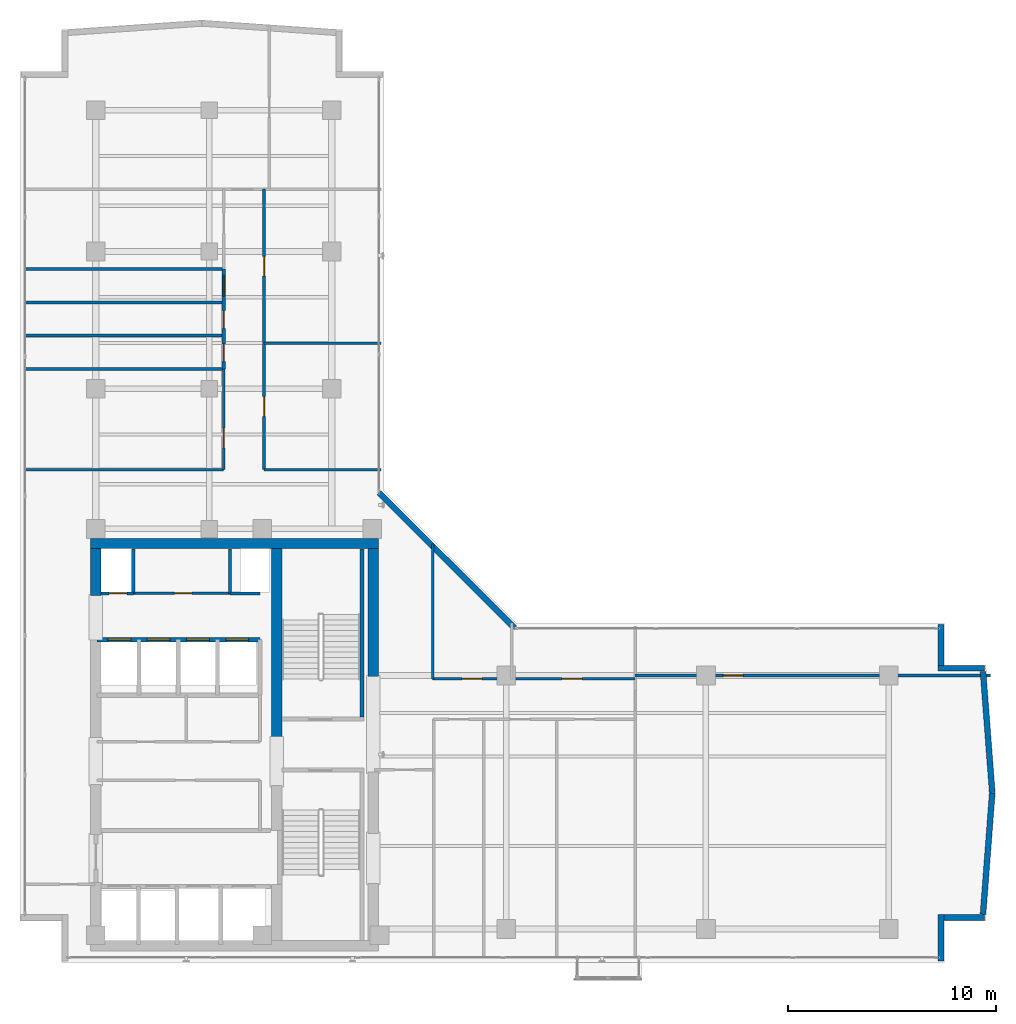
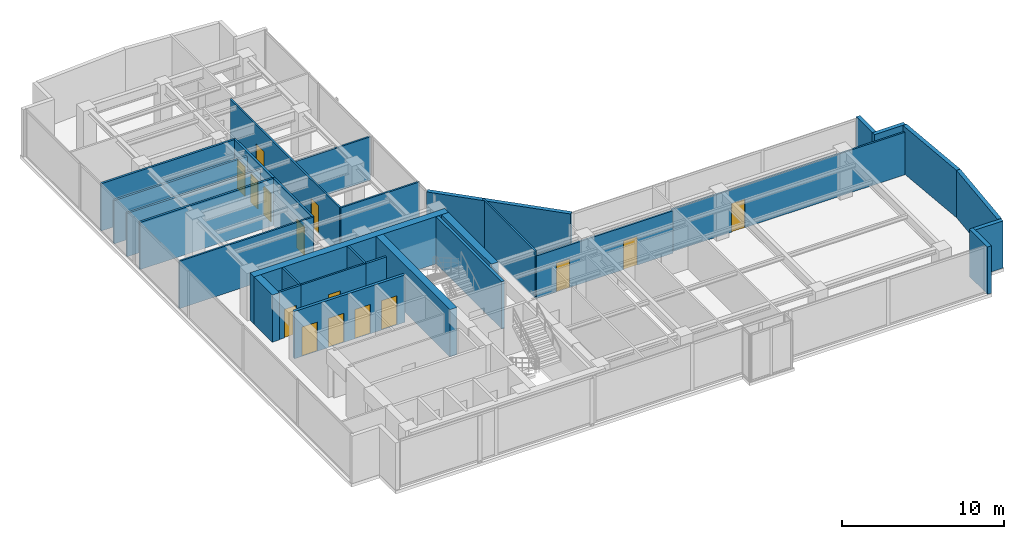
# One storey, part 18 of 23: 31 walls, 15 doors, 15 openings.
"""IFC4 building model written with IfcOpenShell, lengths in metres."""

from ifc_helpers import new_model, si_unit, direction, frame, frame_2d, origin, place, context, subcontext, project, spatial, rectangle, extrude, material, layer, layer_set, type_object, element, fill, save


model = new_model("IFC4")

# Units and contexts
model_context = context("Model", 3, precision=1e-05, world=origin(), true_north=direction((0.0, 1.0)))
body_context = subcontext(model_context, "Body", "Model", "MODEL_VIEW")
ifc_project = project(units=[si_unit("LENGTHUNIT", "METRE"), si_unit("AREAUNIT", "SQUARE_METRE"), si_unit("VOLUMEUNIT", "CUBIC_METRE"), si_unit("PLANEANGLEUNIT", "RADIAN"), si_unit("MASSUNIT", "GRAM", prefix="KILO")], contexts=[model_context])

# Site, building, storey
site_placement = place(None, origin())
site = spatial("IfcSite", under=ifc_project, at=site_placement, CompositionType="ELEMENT")
building_placement = place(site_placement, origin())
building = spatial("IfcBuilding", under=site, at=building_placement, Name="Kolvaren Waterfront Exchange", CompositionType="ELEMENT")
storey_placement = place(building_placement, frame((0.0, 0.0, 297.0)))
storey = spatial("IfcBuildingStorey", under=building, at=storey_placement, Name="L76", CompositionType="ELEMENT", Elevation=297.0)

# Walls
ifc_material_1 = material(Name="Precast concrete C40/50", Category="concrete")
ifc_layer_1 = layer(ifc_material_1, 0.280029296875, Name="Precast concrete C40/50")
ifc_layer_set_1 = layer_set([ifc_layer_1], Name="Precast concrete C40/50")
wall_type_1 = type_object("IfcWallType", Name="ARC-EXT-TERR-280", PredefinedType="SOLIDWALL", material=ifc_layer_set_1)
wall_1_placement = place(storey_placement, frame((48.1083984375, 3.659912109375, 0.0), z_axis=(0.0, 0.0, 1.0), x_axis=(0.0, 1.0, 0.0)))
element("IfcWall", 1, at=wall_1_placement, inside=storey, type_object=wall_type_1, Name="L76 notched corner spandrel pier SE-A", PredefinedType="SOLIDWALL", context=body_context, shape_type="SweptSolid", body=[
    extrude(rectangle(XDim=2.239990234375, YDim=0.280029296875, at=frame_2d((1.1201171875, 0.0))), origin(), (0.0, 0.0, 1.0), 3.56005859375),
])
wall_2_placement = place(storey_placement, frame((48.248291015625, 5.760009765625, 0.0), z_axis=(0.0, 0.0, 1.0), x_axis=(1.0, 0.0, 0.0)))
element("IfcWall", 2, at=wall_2_placement, inside=storey, type_object=wall_type_1, Name="L76 notched corner spandrel pier SE-B", PredefinedType="SOLIDWALL", context=body_context, shape_type="SweptSolid", body=[
    extrude(rectangle(XDim=1.960205078125, YDim=0.280029296875, at=frame_2d((0.97998046875, 0.0))), origin(), (0.0, 0.0, 1.0), 3.56005859375),
])
wall_3_placement = place(storey_placement, frame((48.1083984375, 17.870361328125, 0.0), z_axis=(0.0, 0.0, 1.0), x_axis=(0.0, 1.0, 0.0)))
element("IfcWall", 3, at=wall_3_placement, inside=storey, type_object=wall_type_1, Name="L76 notched corner spandrel pier ENE-A", PredefinedType="SOLIDWALL", context=body_context, shape_type="SweptSolid", body=[
    extrude(rectangle(XDim=1.974853515625, YDim=0.280029296875, at=frame_2d((0.9873046875, 0.0))), origin(), (0.0, 0.0, 1.0), 3.56005859375),
])
wall_4_placement = place(storey_placement, frame((47.968505859375, 17.745361328125, 0.0), z_axis=(0.0, 0.0, 1.0), x_axis=(1.0, 0.0, 0.0)))
element("IfcWall", 4, at=wall_4_placement, inside=storey, type_object=wall_type_1, Name="L76 notched corner spandrel pier ENE-B", PredefinedType="SOLIDWALL", context=body_context, shape_type="SweptSolid", body=[
    extrude(rectangle(XDim=2.239990234375, YDim=0.280029296875, at=frame_2d((1.1201171875, 0.0))), origin(), (0.0, 0.0, 1.0), 3.56005859375),
])
wall_5_placement = place(storey_placement, frame((27.59033203125, 19.680419921875, 0.0), z_axis=(0.0, 0.0, 1.0), x_axis=(-0.707120040392, 0.707093521733, 0.0)))
element("IfcWall", 5, at=wall_5_placement, inside=storey, type_object=wall_type_1, Name="L76 notched corner spandrel pier ELBOW", PredefinedType="SOLIDWALL", context=body_context, shape_type="SweptSolid", body=[
    extrude(rectangle(XDim=9.206298828125, YDim=0.280029296875, at=frame_2d((4.60302734375, 0.0))), origin(), (0.0, 0.0, 1.0), 3.56005859375),
])
for number, where, z_axis, x_axis, name in (
    (6, (50.131591796875, 5.911376953125, 0.0), (0.0, 0.0, 1.0), (0.075908254483, 0.997114806279, 0.0), "L76 east prow faceted facade wall 1"),
    (7, (50.57568359375, 11.760498046875, 0.0), (0.0, 0.0, 1.0), (-0.075908254483, 0.997114806279, 0.0), "L76 east prow faceted facade wall 2"),
):
    element("IfcWall", number, at=place(storey_placement, frame(where, z_axis=z_axis, x_axis=x_axis)), inside=storey, type_object=wall_type_1, Name=name, PredefinedType="SOLIDWALL", context=body_context, shape_type="SweptSolid", body=[
        extrude(rectangle(XDim=5.850341796875, YDim=0.280029296875, at=frame_2d((2.92529296875, 0.0))), origin(), (0.0, 0.0, 1.0), 3.56005859375),
    ])

# Wall, opening, door
ifc_material_2 = material(Name="Acoustic gypsum steel stud", Category="steel")
ifc_layer_2 = layer(ifc_material_2, 0.125, Name="Acoustic gypsum steel stud")
ifc_layer_set_2 = layer_set([ifc_layer_2], Name="Acoustic gypsum steel stud")
wall_type_2 = type_object("IfcWallType", Name="ARC-PART-125", PredefinedType="PARTITIONING", material=ifc_layer_set_2)
wall_6_placement = place(storey_placement, frame((9.25, 21.35009765625, 0.0), z_axis=(0.0, 0.0, 1.0), x_axis=(1.0, 0.0, 0.0)))
wall_6 = element("IfcWall", 8, at=wall_6_placement, inside=storey, type_object=wall_type_2, Name="L76 interior wall PW-L76-SVC-HI-S", PredefinedType="PARTITIONING", context=body_context, shape_type="SweptSolid", body=[
    extrude(rectangle(XDim=4.64990234375, YDim=0.125, at=frame_2d((2.324951171875, 0.0))), origin(), (0.0, 0.0, 1.0), 3.56005859375),
])
opening_1_placement = place(wall_6_placement, frame((1.971435546875, 0.0, 0.0)))
opening_1 = element("IfcOpeningElement", 9, at=opening_1_placement, cuts=wall_6, Name="Opening D01", PredefinedType="OPENING", context=body_context, shape_type="SweptSolid", body=[
    extrude(rectangle(XDim=0.85009765625, YDim=2.14990234375, at=frame_2d((0.425048828125, 1.074951171875))), frame((0.0, 0.072509765625, 0.0), z_axis=(0.0, -1.0, 0.0), x_axis=(1.0, 0.0, 0.0)), (0.0, 0.0, 1.0), 0.14501953125),
])
ifc_material_3 = material(Name="Oak veneer timber leaf", Category="wood")
door_type_1 = type_object("IfcDoorType", Name="ARC-DR-900", OperationType="NOTDEFINED", PredefinedType="DOOR", material=ifc_material_3)
door_1_placement = place(opening_1_placement, origin())
door_1 = element("IfcDoor", 10, at=door_1_placement, inside=storey, type_object=door_type_1, Name="L76 door DR-L76-SVC-DR-1 (D01)", OperationType="SINGLE_SWING_LEFT", OverallHeight=2.14990234375, OverallWidth=0.85009765625, PredefinedType="DOOR", context=body_context, shape_type="SweptSolid", body=[
    extrude(rectangle(XDim=0.85009765625, YDim=2.14990234375, at=frame_2d((0.425048828125, 1.074951171875))), frame((0.0, 0.02490234375, 0.0), z_axis=(0.0, -1.0, 0.0), x_axis=(1.0, 0.0, 0.0)), (0.0, 0.0, 1.0), 0.050048828125),
])
fill(opening_1, door_1)

wall_7_placement = place(storey_placement, frame((13.60009765625, 27.300048828125, 0.0), z_axis=(0.0, 0.0, 1.0), x_axis=(0.0, 1.0, 0.0)))
wall_7 = element("IfcWall", 11, at=wall_7_placement, inside=storey, type_object=wall_type_2, Name="L76 interior wall PW-L76-PREWC-E", PredefinedType="PARTITIONING", context=body_context, shape_type="SweptSolid", body=[
    extrude(rectangle(XDim=4.849853515625, YDim=0.125, at=frame_2d((2.4248046875, 0.0))), origin(), (0.0, 0.0, 1.0), 3.56005859375),
])
opening_2_placement = place(wall_7_placement, frame((1.050048828125, 0.0, 0.0)))
opening_2 = element("IfcOpeningElement", 12, at=opening_2_placement, cuts=wall_7, Name="Opening D02", PredefinedType="OPENING", context=body_context, shape_type="SweptSolid", body=[
    extrude(rectangle(XDim=0.949951171875, YDim=2.14990234375, at=frame_2d((0.47509765625, 1.074951171875))), frame((0.0, 0.072509765625, 0.0), z_axis=(0.0, -1.0, 0.0), x_axis=(1.0, 0.0, 0.0)), (0.0, 0.0, 1.0), 0.14501953125),
])
ifc_material_4 = material(Name="Oak veneer acoustic timber", Category="wood")
door_type_2 = type_object("IfcDoorType", Name="ARC-DR-950", OperationType="NOTDEFINED", PredefinedType="DOOR", material=ifc_material_4)
door_2_placement = place(opening_2_placement, origin())
door_2 = element("IfcDoor", 13, at=door_2_placement, inside=storey, type_object=door_type_2, Name="L76 door DR-L76-PREWC-D (D02)", OperationType="SINGLE_SWING_RIGHT", OverallHeight=2.14990234375, OverallWidth=0.949951171875, PredefinedType="DOOR", context=body_context, shape_type="SweptSolid", body=[
    extrude(rectangle(XDim=0.949951171875, YDim=2.14990234375, at=frame_2d((0.47509765625, 1.074951171875))), frame((0.0, 0.02490234375, 0.0), z_axis=(0.0, -1.0, 0.0), x_axis=(1.0, 0.0, 0.0)), (0.0, 0.0, 1.0), 0.050048828125),
])
fill(opening_2, door_2)

# Wall
wall_8_placement = place(storey_placement, frame((4.0400390625, 27.300048828125, 0.0), z_axis=(0.0, 0.0, 1.0), x_axis=(1.0, 0.0, 0.0)))
element("IfcWall", 14, at=wall_8_placement, inside=storey, type_object=wall_type_2, Name="L76 interior wall PW-L76-PREWC-S", PredefinedType="PARTITIONING", context=body_context, shape_type="SweptSolid", body=[
    extrude(rectangle(XDim=9.56005859375, YDim=0.125, at=frame_2d((4.780029296875, 0.0))), origin(), (0.0, 0.0, 1.0), 3.56005859375),
])

# Wall, opening, door
wall_9_placement = place(storey_placement, frame((33.39990234375, 17.39990234375, 0.0), z_axis=(0.0, 0.0, 1.0), x_axis=(1.0, 0.0, 0.0)))
wall_9 = element("IfcWall", 15, at=wall_9_placement, inside=storey, type_object=wall_type_2, Name="L76 interior wall PW-L76-ETIP-MID", PredefinedType="PARTITIONING", context=body_context, shape_type="SweptSolid", body=[
    extrude(rectangle(XDim=17.096923828125, YDim=0.125, at=frame_2d((8.54833984375, 0.0))), origin(), (0.0, 0.0, 1.0), 3.199951171875),
])
opening_3_placement = place(wall_9_placement, frame((4.24365234375, 0.0, 0.0)))
opening_3 = element("IfcOpeningElement", 16, at=opening_3_placement, cuts=wall_9, Name="Opening D02", PredefinedType="OPENING", context=body_context, shape_type="SweptSolid", body=[
    extrude(rectangle(XDim=0.949951171875, YDim=2.14990234375, at=frame_2d((0.47509765625, 1.074951171875))), frame((0.0, 0.072509765625, 0.0), z_axis=(0.0, -1.0, 0.0), x_axis=(1.0, 0.0, 0.0)), (0.0, 0.0, 1.0), 0.14501953125),
])
door_3_placement = place(opening_3_placement, origin())
door_3 = element("IfcDoor", 17, at=door_3_placement, inside=storey, type_object=door_type_2, Name="L76 door DR-L76-ETIP2-D (D02)", OperationType="SINGLE_SWING_RIGHT", OverallHeight=2.14990234375, OverallWidth=0.949951171875, PredefinedType="DOOR", context=body_context, shape_type="SweptSolid", body=[
    extrude(rectangle(XDim=0.949951171875, YDim=2.14990234375, at=frame_2d((0.47509765625, 1.074951171875))), frame((0.0, 0.02490234375, 0.0), z_axis=(0.0, -1.0, 0.0), x_axis=(1.0, 0.0, 0.0)), (0.0, 0.0, 1.0), 0.050048828125),
])
fill(opening_3, door_3)

# Wall
wall_10_placement = place(storey_placement, frame((23.64990234375, 17.239990234375, 0.0), z_axis=(0.0, 0.0, 1.0), x_axis=(0.0, 1.0, 0.0)))
element("IfcWall", 18, at=wall_10_placement, inside=storey, type_object=wall_type_2, Name="L76 interior wall PW-L76-EN-W0", PredefinedType="PARTITIONING", context=body_context, shape_type="SweptSolid", body=[
    extrude(rectangle(XDim=6.480712890625, YDim=0.125, at=frame_2d((3.240234375, 0.0))), origin(), (0.0, 0.0, 1.0), 3.56005859375),
])

# Wall, openings, doors
wall_11_placement = place(storey_placement, frame((23.64990234375, 17.239990234375, 0.0), z_axis=(0.0, 0.0, 1.0), x_axis=(1.0, 0.0, 0.0)))
wall_11 = element("IfcWall", 19, at=wall_11_placement, inside=storey, type_object=wall_type_2, Name="L76 interior wall PW-L76-EN-CORR", PredefinedType="PARTITIONING", context=body_context, shape_type="SweptSolid", body=[
    extrude(rectangle(XDim=9.75, YDim=0.125, at=frame_2d((4.875, 0.0))), origin(), (0.0, 0.0, 1.0), 3.199951171875),
])
opening_4_placement = place(wall_11_placement, frame((1.425048828125, 0.0, 0.0)))
opening_4 = element("IfcOpeningElement", 20, at=opening_4_placement, cuts=wall_11, Name="Opening D02", PredefinedType="OPENING", context=body_context, shape_type="SweptSolid", body=[
    extrude(rectangle(XDim=0.949951171875, YDim=2.14990234375, at=frame_2d((0.47509765625, 1.074951171875))), frame((0.0, 0.072509765625, 0.0), z_axis=(0.0, -1.0, 0.0), x_axis=(1.0, 0.0, 0.0)), (0.0, 0.0, 1.0), 0.14501953125),
])
opening_5_placement = place(wall_11_placement, frame((6.2275390625, 0.0, 0.0)))
opening_5 = element("IfcOpeningElement", 21, at=opening_5_placement, cuts=wall_11, Name="Opening D02", PredefinedType="OPENING", context=body_context, shape_type="SweptSolid", body=[
    extrude(rectangle(XDim=0.949951171875, YDim=2.14990234375, at=frame_2d((0.47509765625, 1.074951171875))), frame((0.0, 0.072509765625, 0.0), z_axis=(0.0, -1.0, 0.0), x_axis=(1.0, 0.0, 0.0)), (0.0, 0.0, 1.0), 0.14501953125),
])
door_4_placement = place(opening_4_placement, origin())
door_4 = element("IfcDoor", 22, at=door_4_placement, inside=storey, type_object=door_type_2, Name="L76 door DR-L76-EN-D-1 (D02)", OperationType="SINGLE_SWING_LEFT", OverallHeight=2.14990234375, OverallWidth=0.949951171875, PredefinedType="DOOR", context=body_context, shape_type="SweptSolid", body=[
    extrude(rectangle(XDim=0.949951171875, YDim=2.14990234375, at=frame_2d((0.47509765625, 1.074951171875))), frame((0.0, 0.02490234375, 0.0), z_axis=(0.0, -1.0, 0.0), x_axis=(1.0, 0.0, 0.0)), (0.0, 0.0, 1.0), 0.050048828125),
])
fill(opening_4, door_4)
door_5_placement = place(opening_5_placement, origin())
door_5 = element("IfcDoor", 23, at=door_5_placement, inside=storey, type_object=door_type_2, Name="L76 door DR-L76-EN-D-2 (D02)", OperationType="SINGLE_SWING_RIGHT", OverallHeight=2.14990234375, OverallWidth=0.949951171875, PredefinedType="DOOR", context=body_context, shape_type="SweptSolid", body=[
    extrude(rectangle(XDim=0.949951171875, YDim=2.14990234375, at=frame_2d((0.47509765625, 1.074951171875))), frame((0.0, 0.02490234375, 0.0), z_axis=(0.0, -1.0, 0.0), x_axis=(1.0, 0.0, 0.0)), (0.0, 0.0, 1.0), 0.050048828125),
])
fill(opening_5, door_5)

# Wall
wall_12_placement = place(storey_placement, frame((15.5400390625, 27.300048828125, 0.0), z_axis=(0.0, 0.0, 1.0), x_axis=(1.0, 0.0, 0.0)))
element("IfcWall", 24, at=wall_12_placement, inside=storey, type_object=wall_type_2, Name="L76 interior wall PW-L76-NE-S0", PredefinedType="PARTITIONING", context=body_context, shape_type="SweptSolid", body=[
    extrude(rectangle(XDim=5.619873046875, YDim=0.125, at=frame_2d((2.81005859375, 0.0))), origin(), (0.0, 0.0, 1.0), 3.56005859375),
])

# Wall, openings, doors
wall_13_placement = place(storey_placement, frame((15.5400390625, 27.300048828125, 0.0), z_axis=(0.0, 0.0, 1.0), x_axis=(0.0, 1.0, 0.0)))
wall_13 = element("IfcWall", 25, at=wall_13_placement, inside=storey, type_object=wall_type_2, Name="L76 interior wall PW-L76-NE-CORR", PredefinedType="PARTITIONING", context=body_context, shape_type="SweptSolid", body=[
    extrude(rectangle(XDim=13.5, YDim=0.125, at=frame_2d((6.75, 0.0))), origin(), (0.0, 0.0, 1.0), 3.56005859375),
])
opening_6_placement = place(wall_13_placement, frame((2.56494140625, 0.0, 0.0)))
opening_6 = element("IfcOpeningElement", 26, at=opening_6_placement, cuts=wall_13, Name="Opening D02", PredefinedType="OPENING", context=body_context, shape_type="SweptSolid", body=[
    extrude(rectangle(XDim=0.949951171875, YDim=2.14990234375, at=frame_2d((0.47509765625, 1.074951171875))), frame((0.0, 0.072509765625, 0.0), z_axis=(0.0, -1.0, 0.0), x_axis=(1.0, 0.0, 0.0)), (0.0, 0.0, 1.0), 0.14501953125),
])
opening_7_placement = place(wall_13_placement, frame((9.31494140625, 0.0, 0.0)))
opening_7 = element("IfcOpeningElement", 27, at=opening_7_placement, cuts=wall_13, Name="Opening D02", PredefinedType="OPENING", context=body_context, shape_type="SweptSolid", body=[
    extrude(rectangle(XDim=0.949951171875, YDim=2.14990234375, at=frame_2d((0.47509765625, 1.074951171875))), frame((0.0, 0.072509765625, 0.0), z_axis=(0.0, -1.0, 0.0), x_axis=(1.0, 0.0, 0.0)), (0.0, 0.0, 1.0), 0.14501953125),
])
door_6_placement = place(opening_6_placement, origin())
door_6 = element("IfcDoor", 28, at=door_6_placement, inside=storey, type_object=door_type_2, Name="L76 door DR-L76-NE-D-1 (D02)", OperationType="SINGLE_SWING_RIGHT", OverallHeight=2.14990234375, OverallWidth=0.949951171875, PredefinedType="DOOR", context=body_context, shape_type="SweptSolid", body=[
    extrude(rectangle(XDim=0.949951171875, YDim=2.14990234375, at=frame_2d((0.47509765625, 1.074951171875))), frame((0.0, 0.02490234375, 0.0), z_axis=(0.0, -1.0, 0.0), x_axis=(1.0, 0.0, 0.0)), (0.0, 0.0, 1.0), 0.050048828125),
])
fill(opening_6, door_6)
door_7_placement = place(opening_7_placement, origin())
door_7 = element("IfcDoor", 29, at=door_7_placement, inside=storey, type_object=door_type_2, Name="L76 door DR-L76-NE-D-2 (D02)", OperationType="SINGLE_SWING_LEFT", OverallHeight=2.14990234375, OverallWidth=0.949951171875, PredefinedType="DOOR", context=body_context, shape_type="SweptSolid", body=[
    extrude(rectangle(XDim=0.949951171875, YDim=2.14990234375, at=frame_2d((0.47509765625, 1.074951171875))), frame((0.0, 0.02490234375, 0.0), z_axis=(0.0, -1.0, 0.0), x_axis=(1.0, 0.0, 0.0)), (0.0, 0.0, 1.0), 0.050048828125),
])
fill(opening_7, door_7)

# Walls
wall_14_placement = place(storey_placement, frame((15.5400390625, 33.3798828125, 0.0), z_axis=(0.0, 0.0, 1.0), x_axis=(1.0, 0.0, 0.0)))
element("IfcWall", 30, at=wall_14_placement, inside=storey, type_object=wall_type_2, Name="L76 interior wall PW-L76-NE-DIV-1", PredefinedType="PARTITIONING", context=body_context, shape_type="SweptSolid", body=[
    extrude(rectangle(XDim=5.619873046875, YDim=0.125, at=frame_2d((2.81005859375, 0.0))), origin(), (0.0, 0.0, 1.0), 3.260009765625),
])
ifc_material_5 = material(Name="Gypsum fireboard steel stud", Category="steel")
ifc_layer_3 = layer(ifc_material_5, 0.14990234375, Name="Gypsum fireboard steel stud")
ifc_layer_set_3 = layer_set([ifc_layer_3], Name="Gypsum fireboard steel stud")
wall_type_3 = type_object("IfcWallType", Name="ARC-PART-150", PredefinedType="PARTITIONING", material=ifc_layer_set_3)
for number, where, z_axis, x_axis, name in (
    (31, (9.25, 21.35009765625, 0.0), (0.0, 0.0, 1.0), (0.0, 1.0, 0.0), "L76 interior wall PW-L76-SVC-R1"),
    (32, (13.89990234375, 21.35009765625, 0.0), (0.0, 0.0, 1.0), (0.0, 1.0, 0.0), "L76 interior wall PW-L76-SVC-R2"),
):
    element("IfcWall", number, at=place(storey_placement, frame(where, z_axis=z_axis, x_axis=x_axis)), inside=storey, type_object=wall_type_3, Name=name, PredefinedType="PARTITIONING", context=body_context, shape_type="SweptSolid", body=[
        extrude(rectangle(XDim=2.1298828125, YDim=0.14990234375, at=frame_2d((1.06494140625, 0.0))), origin(), (0.0, 0.0, 1.0), 3.56005859375),
    ])

# Wall, opening, door
wall_15_placement = place(storey_placement, frame((7.699951171875, 21.35009765625, 0.0), z_axis=(0.0, 0.0, 1.0), x_axis=(1.0, 0.0, 0.0)))
wall_15 = element("IfcWall", 33, at=wall_15_placement, inside=storey, type_object=wall_type_3, Name="L76 interior wall PW-L76-SVC-RE-S", PredefinedType="PARTITIONING", context=body_context, shape_type="SweptSolid", body=[
    extrude(rectangle(XDim=1.550048828125, YDim=0.14990234375, at=frame_2d((0.77490234375, 0.0))), origin(), (0.0, 0.0, 1.0), 3.56005859375),
])
opening_8_placement = place(wall_15_placement, frame((0.389892578125, 0.0, 0.0)))
opening_8 = element("IfcOpeningElement", 34, at=opening_8_placement, cuts=wall_15, Name="Opening FD1", PredefinedType="OPENING", context=body_context, shape_type="SweptSolid", body=[
    extrude(rectangle(XDim=0.85009765625, YDim=2.14990234375, at=frame_2d((0.425048828125, 1.074951171875))), frame((0.0, 0.0849609375, 0.0), z_axis=(0.0, -1.0, 0.0), x_axis=(1.0, 0.0, 0.0)), (0.0, 0.0, 1.0), 0.169921875),
])
ifc_material_6 = material(Name="Pressed steel fire leaf", Category="steel")
door_type_3 = type_object("IfcDoorType", Name="ARC-FD-900", OperationType="NOTDEFINED", PredefinedType="DOOR", material=ifc_material_6)
door_8_placement = place(opening_8_placement, origin())
door_8 = element("IfcDoor", 35, at=door_8_placement, inside=storey, type_object=door_type_3, Name="L76 door DR-L76-RISER-E-DR (FD1)", OperationType="SINGLE_SWING_RIGHT", OverallHeight=2.14990234375, OverallWidth=0.85009765625, PredefinedType="DOOR", context=body_context, shape_type="SweptSolid", body=[
    extrude(rectangle(XDim=0.85009765625, YDim=2.14990234375, at=frame_2d((0.425048828125, 1.074951171875))), frame((0.0, 0.02490234375, 0.0), z_axis=(0.0, -1.0, 0.0), x_axis=(1.0, 0.0, 0.0)), (0.0, 0.0, 1.0), 0.050048828125),
])
fill(opening_8, door_8)

# Walls
wall_16_placement = place(storey_placement, frame((13.89990234375, 21.35009765625, 0.0), z_axis=(0.0, 0.0, 1.0), x_axis=(1.0, 0.0, 0.0)))
element("IfcWall", 36, at=wall_16_placement, inside=storey, type_object=wall_type_3, Name="L76 interior wall PW-L76-SVC-RP-S", PredefinedType="PARTITIONING", context=body_context, shape_type="SweptSolid", body=[
    extrude(rectangle(XDim=1.4501953125, YDim=0.14990234375, at=frame_2d((0.72509765625, 0.0))), origin(), (0.0, 0.0, 1.0), 3.56005859375),
])
ifc_material_7 = material(Name="Moisture-resistant gypsum stud")
ifc_layer_4 = layer(ifc_material_7, 0.14990234375, Name="Moisture-resistant gypsum stud")
ifc_layer_set_4 = layer_set([ifc_layer_4], Name="Moisture-resistant gypsum stud")
wall_type_4 = type_object("IfcWallType", Name="ARC-PLUMB-150", PredefinedType="PLUMBINGWALL", material=ifc_layer_set_4)
wall_17_placement = place(storey_placement, frame((4.0400390625, 32.14990234375, 0.0), z_axis=(0.0, 0.0, 1.0), x_axis=(1.0, 0.0, 0.0)))
element("IfcWall", 37, at=wall_17_placement, inside=storey, type_object=wall_type_4, Name="L76 interior wall PW-L76-WC-0", PredefinedType="PLUMBINGWALL", context=body_context, shape_type="SweptSolid", body=[
    extrude(rectangle(XDim=9.56005859375, YDim=0.14990234375, at=frame_2d((4.780029296875, 0.0))), origin(), (0.0, 0.0, 1.0), 3.56005859375),
])

# Wall, openings, doors
wall_18_placement = place(storey_placement, frame((13.60009765625, 32.14990234375, 0.0), z_axis=(0.0, 0.0, 1.0), x_axis=(0.0, 1.0, 0.0)))
wall_18 = element("IfcWall", 38, at=wall_18_placement, inside=storey, type_object=wall_type_4, Name="L76 interior wall PW-L76-WC-E", PredefinedType="PLUMBINGWALL", context=body_context, shape_type="SweptSolid", body=[
    extrude(rectangle(XDim=4.800048828125, YDim=0.14990234375, at=frame_2d((2.39990234375, 0.0))), origin(), (0.0, 0.0, 1.0), 3.56005859375),
])
opening_9_placement = place(wall_18_placement, frame((0.35009765625, 0.0, 0.0)))
opening_9 = element("IfcOpeningElement", 39, at=opening_9_placement, cuts=wall_18, Name="Opening D01", PredefinedType="OPENING", context=body_context, shape_type="SweptSolid", body=[
    extrude(rectangle(XDim=0.85009765625, YDim=2.14990234375, at=frame_2d((0.425048828125, 1.074951171875))), frame((0.0, 0.0849609375, 0.0), z_axis=(0.0, -1.0, 0.0), x_axis=(1.0, 0.0, 0.0)), (0.0, 0.0, 1.0), 0.169921875),
])
opening_10_placement = place(wall_18_placement, frame((1.949951171875, 0.0, 0.0)))
opening_10 = element("IfcOpeningElement", 40, at=opening_10_placement, cuts=wall_18, Name="Opening D01", PredefinedType="OPENING", context=body_context, shape_type="SweptSolid", body=[
    extrude(rectangle(XDim=0.85009765625, YDim=2.14990234375, at=frame_2d((0.425048828125, 1.074951171875))), frame((0.0, 0.0849609375, 0.0), z_axis=(0.0, -1.0, 0.0), x_axis=(1.0, 0.0, 0.0)), (0.0, 0.0, 1.0), 0.169921875),
])
opening_11_placement = place(wall_18_placement, frame((3.5, 0.0, 0.0)))
opening_11 = element("IfcOpeningElement", 41, at=opening_11_placement, cuts=wall_18, Name="Opening D03", PredefinedType="OPENING", context=body_context, shape_type="SweptSolid", body=[
    extrude(rectangle(XDim=1.0, YDim=2.199951171875, at=frame_2d((0.5, 1.10009765625))), frame((0.0, 0.0849609375, 0.0), z_axis=(0.0, -1.0, 0.0), x_axis=(1.0, 0.0, 0.0)), (0.0, 0.0, 1.0), 0.169921875),
])
ifc_material_8 = material(Name="Oak veneer accessible timber", Category="wood")
door_type_4 = type_object("IfcDoorType", Name="ARC-DR-1000", OperationType="NOTDEFINED", PredefinedType="DOOR", material=ifc_material_8)
door_9_placement = place(opening_11_placement, origin())
door_9 = element("IfcDoor", 42, at=door_9_placement, inside=storey, type_object=door_type_4, Name="L76 door DR-L76-WCA-D (D03)", OperationType="SINGLE_SWING_LEFT", OverallHeight=2.199951171875, OverallWidth=1.0, PredefinedType="DOOR", context=body_context, shape_type="SweptSolid", body=[
    extrude(rectangle(XDim=1.0, YDim=2.199951171875, at=frame_2d((0.5, 1.10009765625))), frame((0.0, 0.02490234375, 0.0), z_axis=(0.0, -1.0, 0.0), x_axis=(1.0, 0.0, 0.0)), (0.0, 0.0, 1.0), 0.050048828125),
])
fill(opening_11, door_9)
door_10_placement = place(opening_9_placement, origin())
door_10 = element("IfcDoor", 43, at=door_10_placement, inside=storey, type_object=door_type_1, Name="L76 door DR-L76-WCM-D (D01)", OperationType="SINGLE_SWING_LEFT", OverallHeight=2.14990234375, OverallWidth=0.85009765625, PredefinedType="DOOR", context=body_context, shape_type="SweptSolid", body=[
    extrude(rectangle(XDim=0.85009765625, YDim=2.14990234375, at=frame_2d((0.425048828125, 1.074951171875))), frame((0.0, 0.02490234375, 0.0), z_axis=(0.0, -1.0, 0.0), x_axis=(1.0, 0.0, 0.0)), (0.0, 0.0, 1.0), 0.050048828125),
])
fill(opening_9, door_10)
door_11_placement = place(opening_10_placement, origin())
door_11 = element("IfcDoor", 44, at=door_11_placement, inside=storey, type_object=door_type_1, Name="L76 door DR-L76-WCF-D (D01)", OperationType="SINGLE_SWING_RIGHT", OverallHeight=2.14990234375, OverallWidth=0.85009765625, PredefinedType="DOOR", context=body_context, shape_type="SweptSolid", body=[
    extrude(rectangle(XDim=0.85009765625, YDim=2.14990234375, at=frame_2d((0.425048828125, 1.074951171875))), frame((0.0, 0.02490234375, 0.0), z_axis=(0.0, -1.0, 0.0), x_axis=(1.0, 0.0, 0.0)), (0.0, 0.0, 1.0), 0.050048828125),
])
fill(opening_10, door_11)

# Walls
for number, where, z_axis, x_axis, name in (
    (45, (4.0400390625, 33.75, 0.0), (0.0, 0.0, 1.0), (1.0, 0.0, 0.0), "L76 interior wall PW-L76-WC-1"),
    (46, (4.0400390625, 35.35009765625, 0.0), (0.0, 0.0, 1.0), (1.0, 0.0, 0.0), "L76 interior wall PW-L76-WC-2"),
):
    element("IfcWall", number, at=place(storey_placement, frame(where, z_axis=z_axis, x_axis=x_axis)), inside=storey, type_object=wall_type_4, Name=name, PredefinedType="PLUMBINGWALL", context=body_context, shape_type="SweptSolid", body=[
        extrude(rectangle(XDim=9.56005859375, YDim=0.14990234375, at=frame_2d((4.780029296875, 0.0))), origin(), (0.0, 0.0, 1.0), 3.260009765625),
    ])
wall_19_placement = place(storey_placement, frame((4.0400390625, 36.949951171875, 0.0), z_axis=(0.0, 0.0, 1.0), x_axis=(1.0, 0.0, 0.0)))
element("IfcWall", 47, at=wall_19_placement, inside=storey, type_object=wall_type_4, Name="L76 interior wall PW-L76-WC-3", PredefinedType="PLUMBINGWALL", context=body_context, shape_type="SweptSolid", body=[
    extrude(rectangle(XDim=9.56005859375, YDim=0.14990234375, at=frame_2d((4.780029296875, 0.0))), origin(), (0.0, 0.0, 1.0), 3.56005859375),
])
ifc_material_9 = material(Name="Concrete C40/50", Category="concrete")
ifc_layer_5 = layer(ifc_material_9, 0.199951171875, Name="Concrete C40/50")
ifc_layer_set_5 = layer_set([ifc_layer_5], Name="Concrete C40/50")
wall_type_5 = type_object("IfcWallType", Name="ARC-SHAFT-200", PredefinedType="PARTITIONING", material=ifc_layer_set_5)
wall_20_placement = place(storey_placement, frame((20.260009765625, 15.39990234375, 0.0), z_axis=(0.0, 0.0, 1.0), x_axis=(0.0, 1.0, 0.0)))
element("IfcWall", 48, at=wall_20_placement, inside=storey, type_object=wall_type_5, Name="L76 structural stairwell wall PW-L76-ST2-E", PredefinedType="SHEAR", context=body_context, shape_type="SweptSolid", body=[
    extrude(rectangle(XDim=8.090087890625, YDim=0.199951171875, at=frame_2d((4.044921875, 0.0))), origin(), (0.0, 0.0, 1.0), 3.56005859375),
])

# Wall, openings, doors
wall_21_placement = place(storey_placement, frame((7.5, 19.1201171875, 0.0), z_axis=(0.0, 0.0, 1.0), x_axis=(1.0, 0.0, 0.0)))
wall_21 = element("IfcWall", 49, at=wall_21_placement, inside=storey, type_object=wall_type_5, Name="L76 interior wall PW-L76-PH-N", PredefinedType="PARTITIONING", context=body_context, shape_type="SweptSolid", body=[
    extrude(rectangle(XDim=7.85009765625, YDim=0.199951171875, at=frame_2d((3.925048828125, 0.0))), origin(), (0.0, 0.0, 1.0), 3.56005859375),
])
opening_12_placement = place(wall_21_placement, frame((0.530029296875, 0.0, 0.0)))
opening_12 = element("IfcOpeningElement", 50, at=opening_12_placement, cuts=wall_21, Name="Opening LD2", PredefinedType="OPENING", context=body_context, shape_type="SweptSolid", body=[
    extrude(rectangle(XDim=1.10009765625, YDim=2.199951171875, at=frame_2d((0.550048828125, 1.10009765625))), frame((0.0, 0.10986328125, 0.0), z_axis=(0.0, -1.0, 0.0), x_axis=(1.0, 0.0, 0.0)), (0.0, 0.0, 1.0), 0.219970703125),
])
opening_13_placement = place(wall_21_placement, frame((2.419921875, 0.0, 0.0)))
opening_13 = element("IfcOpeningElement", 51, at=opening_13_placement, cuts=wall_21, Name="Opening LD2", PredefinedType="OPENING", context=body_context, shape_type="SweptSolid", body=[
    extrude(rectangle(XDim=1.10009765625, YDim=2.199951171875, at=frame_2d((0.550048828125, 1.10009765625))), frame((0.0, 0.10986328125, 0.0), z_axis=(0.0, -1.0, 0.0), x_axis=(1.0, 0.0, 0.0)), (0.0, 0.0, 1.0), 0.219970703125),
])
opening_14_placement = place(wall_21_placement, frame((4.31005859375, 0.0, 0.0)))
opening_14 = element("IfcOpeningElement", 52, at=opening_14_placement, cuts=wall_21, Name="Opening LD2", PredefinedType="OPENING", context=body_context, shape_type="SweptSolid", body=[
    extrude(rectangle(XDim=1.10009765625, YDim=2.199951171875, at=frame_2d((0.550048828125, 1.10009765625))), frame((0.0, 0.10986328125, 0.0), z_axis=(0.0, -1.0, 0.0), x_axis=(1.0, 0.0, 0.0)), (0.0, 0.0, 1.0), 0.219970703125),
])
opening_15_placement = place(wall_21_placement, frame((6.199951171875, 0.0, 0.0)))
opening_15 = element("IfcOpeningElement", 53, at=opening_15_placement, cuts=wall_21, Name="Opening LD2", PredefinedType="OPENING", context=body_context, shape_type="SweptSolid", body=[
    extrude(rectangle(XDim=1.10009765625, YDim=2.199951171875, at=frame_2d((0.550048828125, 1.10009765625))), frame((0.0, 0.10986328125, 0.0), z_axis=(0.0, -1.0, 0.0), x_axis=(1.0, 0.0, 0.0)), (0.0, 0.0, 1.0), 0.219970703125),
])
ifc_material_10 = material(Name="Brushed bronze sliding landing door", Category="aluminium")
door_type_5 = type_object("IfcDoorType", Name="ARC-LD-PAX", OperationType="SLIDING_TO_LEFT", PredefinedType="DOOR", material=ifc_material_10)
door_12_placement = place(opening_12_placement, origin())
door_12 = element("IfcDoor", 54, at=door_12_placement, inside=storey, type_object=door_type_5, Name="L76 door LD-L76-PH1 (LD2)", OperationType="SLIDING_TO_LEFT", OverallHeight=2.199951171875, OverallWidth=1.10009765625, PredefinedType="DOOR", context=body_context, shape_type="SweptSolid", body=[
    extrude(rectangle(XDim=1.10009765625, YDim=2.199951171875, at=frame_2d((0.550048828125, 1.10009765625))), frame((0.0, 0.02490234375, 0.0), z_axis=(0.0, -1.0, 0.0), x_axis=(1.0, 0.0, 0.0)), (0.0, 0.0, 1.0), 0.050048828125),
])
fill(opening_12, door_12)
door_13_placement = place(opening_13_placement, origin())
door_13 = element("IfcDoor", 55, at=door_13_placement, inside=storey, type_object=door_type_5, Name="L76 door LD-L76-PH2 (LD2)", OperationType="SLIDING_TO_LEFT", OverallHeight=2.199951171875, OverallWidth=1.10009765625, PredefinedType="DOOR", context=body_context, shape_type="SweptSolid", body=[
    extrude(rectangle(XDim=1.10009765625, YDim=2.199951171875, at=frame_2d((0.550048828125, 1.10009765625))), frame((0.0, 0.02490234375, 0.0), z_axis=(0.0, -1.0, 0.0), x_axis=(1.0, 0.0, 0.0)), (0.0, 0.0, 1.0), 0.050048828125),
])
fill(opening_13, door_13)
door_14_placement = place(opening_14_placement, origin())
door_14 = element("IfcDoor", 56, at=door_14_placement, inside=storey, type_object=door_type_5, Name="L76 door LD-L76-PH3 (LD2)", OperationType="SLIDING_TO_LEFT", OverallHeight=2.199951171875, OverallWidth=1.10009765625, PredefinedType="DOOR", context=body_context, shape_type="SweptSolid", body=[
    extrude(rectangle(XDim=1.10009765625, YDim=2.199951171875, at=frame_2d((0.550048828125, 1.10009765625))), frame((0.0, 0.02490234375, 0.0), z_axis=(0.0, -1.0, 0.0), x_axis=(1.0, 0.0, 0.0)), (0.0, 0.0, 1.0), 0.050048828125),
])
fill(opening_14, door_14)
door_15_placement = place(opening_15_placement, origin())
door_15 = element("IfcDoor", 57, at=door_15_placement, inside=storey, type_object=door_type_5, Name="L76 door LD-L76-PH4 (LD2)", OperationType="SLIDING_TO_LEFT", OverallHeight=2.199951171875, OverallWidth=1.10009765625, PredefinedType="DOOR", context=body_context, shape_type="SweptSolid", body=[
    extrude(rectangle(XDim=1.10009765625, YDim=2.199951171875, at=frame_2d((0.550048828125, 1.10009765625))), frame((0.0, 0.02490234375, 0.0), z_axis=(0.0, -1.0, 0.0), x_axis=(1.0, 0.0, 0.0)), (0.0, 0.0, 1.0), 0.050048828125),
])
fill(opening_15, door_15)

# Walls
ifc_material_11 = material(Name="Concrete C50/60", Category="concrete")
ifc_layer_6 = layer(ifc_material_11, 0.5, Name="Concrete C50/60")
ifc_layer_set_6 = layer_set([ifc_layer_6], Name="Concrete C50/60")
wall_type_6 = type_object("IfcWallType", Name="STR-CWALL-500", PredefinedType="SHEAR", material=ifc_layer_set_6)
wall_22_placement = place(storey_placement, frame((7.199951171875, 23.75, 0.0), z_axis=(0.0, 0.0, 1.0), x_axis=(1.0, 0.0, 0.0)))
element("IfcWall", 58, at=wall_22_placement, inside=storey, type_object=wall_type_6, Name="L76 rear-core shear wall N", PredefinedType="SHEAR", context=body_context, shape_type="SweptSolid", body=[
    extrude(rectangle(XDim=13.85009765625, YDim=0.5, at=frame_2d((6.925048828125, 0.0))), origin(), (0.0, 0.0, 1.0), 3.56005859375),
])
wall_23_placement = place(storey_placement, frame((7.449951171875, 21.239990234375, 0.0), z_axis=(0.0, 0.0, 1.0), x_axis=(0.0, 1.0, 0.0)))
element("IfcWall", 59, at=wall_23_placement, inside=storey, type_object=wall_type_6, Name="L76 rear-core shear wall W3", PredefinedType="SHEAR", context=body_context, shape_type="SweptSolid", body=[
    extrude(rectangle(XDim=2.260009765625, YDim=0.5, at=frame_2d((1.1298828125, 0.0))), origin(), (0.0, 0.0, 1.0), 3.56005859375),
])
wall_24_placement = place(storey_placement, frame((20.800048828125, 17.35009765625, 0.0), z_axis=(0.0, 0.0, 1.0), x_axis=(0.0, 1.0, 0.0)))
element("IfcWall", 60, at=wall_24_placement, inside=storey, type_object=wall_type_6, Name="L76 rear-core shear wall E3", PredefinedType="SHEAR", context=body_context, shape_type="SweptSolid", body=[
    extrude(rectangle(XDim=6.14990234375, YDim=0.5, at=frame_2d((3.074951171875, 0.0))), origin(), (0.0, 0.0, 1.0), 3.56005859375),
])
wall_25_placement = place(storey_placement, frame((16.14990234375, 14.39990234375, 0.0), z_axis=(0.0, 0.0, 1.0), x_axis=(0.0, 1.0, 0.0)))
element("IfcWall", 61, at=wall_25_placement, inside=storey, type_object=wall_type_6, Name="L76 rear-core shear wall M3", PredefinedType="SHEAR", context=body_context, shape_type="SweptSolid", body=[
    extrude(rectangle(XDim=9.10009765625, YDim=0.5, at=frame_2d((4.550048828125, 0.0))), origin(), (0.0, 0.0, 1.0), 3.56005859375),
])

save(model, "model.ifc")
